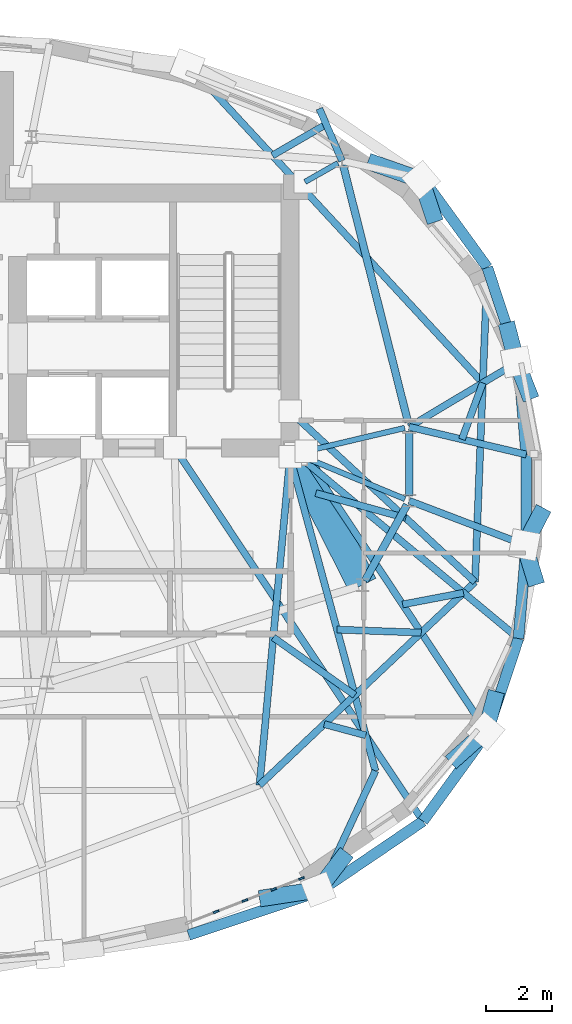
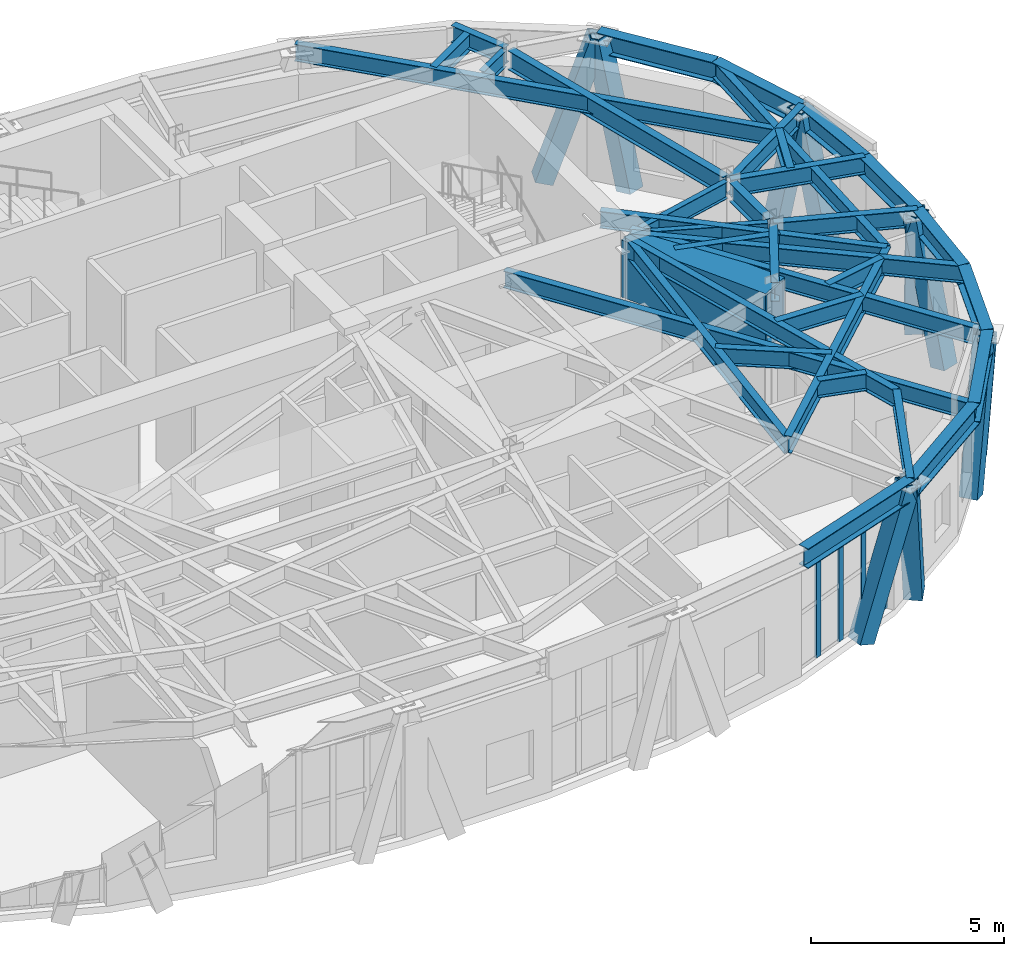
# One storey, part 5 of 15: 37 beams, 14 members, 1 element without a shape of its own.
"""IFC4 building model written with IfcOpenShell, lengths in metres."""

from ifc_helpers import new_model, si_unit, direction, frame, origin, origin_2d, place, context, subcontext, project, spatial, rectangle, hollow_rectangle, i_section, extrude, material, layer, layer_set, material_profile, profile_set, type_object, element, aggregate, save


model = new_model("IFC4")

# Units and contexts
model_context = context("Model", 3, precision=1e-05, world=origin(), true_north=direction((0.0, 1.0)))
body_context = subcontext(model_context, "Body", "Model", "MODEL_VIEW")
ifc_project = project(units=[si_unit("LENGTHUNIT", "METRE"), si_unit("AREAUNIT", "SQUARE_METRE"), si_unit("VOLUMEUNIT", "CUBIC_METRE"), si_unit("PLANEANGLEUNIT", "RADIAN"), si_unit("MASSUNIT", "GRAM", prefix="KILO")], contexts=[model_context])

# Site, building, storey
site_placement = place(None, origin())
site = spatial("IfcSite", under=ifc_project, at=site_placement, CompositionType="ELEMENT")
building_placement = place(site_placement, origin())
building = spatial("IfcBuilding", under=site, at=building_placement, Name="Keldmark Tower", CompositionType="ELEMENT")
storey_placement = place(building_placement, frame((0.0, 0.0, 260.39990234375)))
storey = spatial("IfcBuildingStorey", under=building, at=storey_placement, Name="L74", CompositionType="ELEMENT", Elevation=260.39990234375)

# Curtain wall, members
ifc_material_1 = material(Name="Unitized Thermally Broken Aluminum and Triple Low-E Glazing", Category="aluminium")
ifc_layer = layer(ifc_material_1, 0.219970703125)
ifc_layer_set = layer_set([ifc_layer], Name="Unitized Thermally Broken Aluminum and Triple Low-E Glazing")
curtain_wall_type = type_object("IfcCurtainWallType", Name="Public Observation Lookout Curtain Wall System", PredefinedType="NOTDEFINED", material=ifc_layer_set)
curtain_wall_placement = place(storey_placement, origin())
curtain_wall = element("IfcCurtainWall", 1, at=curtain_wall_placement, inside=storey, type_object=curtain_wall_type, Name="L74 Public Observation Lookout Curtain Wall System CW-L74-27", PredefinedType="NOTDEFINED")
ifc_material_2 = material(Name="Extruded Aluminum Alloy 6063-T6", Category="aluminium")
ifc_material_profile_1 = material_profile(ifc_material_2, rectangle(XDim=0.06005859375, YDim=0.179931640625, at=origin_2d()), Name="CWM60X180")
ifc_profile_set_1 = profile_set([ifc_material_profile_1], Name="Extruded Aluminum Alloy 6063-T6")
member_type_1 = type_object("IfcMemberType", Name="Curtain Wall Structural Mullion 60x180", PredefinedType="MULLION", material=ifc_profile_set_1)
member_1_placement = place(storey_placement, frame((13.772216796875, -11.43017578125, 0.0), z_axis=(0.0, 0.0, 1.0), x_axis=(0.363381340105, -0.931640489494, 0.0)))
member_1 = element("IfcMember", 2, at=member_1_placement, type_object=member_type_1, Name="CW mullion 1", PredefinedType="MULLION", context=body_context, shape_type="SweptSolid", body=[
    extrude(rectangle(XDim=0.06005859375, YDim=0.179931640625, at=origin_2d()), origin(), (0.0, 0.0, 1.0), 3.546142578125),
])
member_2_placement = place(storey_placement, frame((12.93115234375, -11.758056640625, 0.0), z_axis=(0.0, 0.0, 1.0), x_axis=(0.363381340105, -0.931640489494, 0.0)))
member_2 = element("IfcMember", 3, at=member_2_placement, type_object=member_type_1, Name="CW mullion 2", PredefinedType="MULLION", context=body_context, shape_type="SweptSolid", body=[
    extrude(rectangle(XDim=0.06005859375, YDim=0.179931640625, at=origin_2d()), origin(), (0.0, 0.0, 1.0), 3.546142578125),
])
member_3_placement = place(storey_placement, frame((12.062255859375, -12.096923828125, 0.0), z_axis=(0.0, 0.0, 1.0), x_axis=(0.363381340105, -0.931640489494, 0.0)))
member_3 = element("IfcMember", 4, at=member_3_placement, type_object=member_type_1, Name="CW mullion 3", PredefinedType="MULLION", context=body_context, shape_type="SweptSolid", body=[
    extrude(rectangle(XDim=0.06005859375, YDim=0.179931640625, at=origin_2d()), origin(), (0.0, 0.0, 1.0), 3.546142578125),
])
member_4_placement = place(storey_placement, frame((11.193359375, -12.435791015625, 0.0), z_axis=(0.0, 0.0, 1.0), x_axis=(0.363381340105, -0.931640489494, 0.0)))
member_4 = element("IfcMember", 5, at=member_4_placement, type_object=member_type_1, Name="CW mullion 4", PredefinedType="MULLION", context=body_context, shape_type="SweptSolid", body=[
    extrude(rectangle(XDim=0.06005859375, YDim=0.179931640625, at=origin_2d()), origin(), (0.0, 0.0, 1.0), 3.546142578125),
])
aggregate(curtain_wall, [member_1, member_2, member_3, member_4])

# Members
ifc_material_3 = material(Name="Steel ASTM A572 Grade 50", Category="steel")
ifc_material_profile_2 = material_profile(ifc_material_3, hollow_rectangle(XDim=0.5, YDim=0.5, WallThickness=0.030029296875, at=origin_2d()), Name="BOX500X500X30")
ifc_profile_set_2 = profile_set([ifc_material_profile_2], Name="Steel ASTM A572 Grade 50")
member_type_2 = type_object("IfcMemberType", Name="Diagrid Upper Brace BOX500X500X30", PredefinedType="BRACE", material=ifc_profile_set_2)
member_5_placement = place(storey_placement, frame((20.619873046875, 3.273193359375, -0.2998046875), z_axis=(-0.079266131866, 0.201718639025, 0.976230746806), x_axis=(-0.930720832638, -0.365730408489, 0.0)))
element("IfcMember", 6, at=member_5_placement, inside=storey, type_object=member_type_2, Name="L74 Perimeter Diagrid Brace 01A", PredefinedType="BRACE", context=body_context, shape_type="SweptSolid", body=[
    extrude(hollow_rectangle(XDim=0.5, YDim=0.5, WallThickness=0.030029296875, at=origin_2d()), origin(), (0.0, 0.0, 1.0), 4.466064453125),
])
member_6_placement = place(storey_placement, frame((20.01806640625, 5.115234375, -0.2998046875), z_axis=(0.055931876465, -0.213131037075, 0.975421337797), x_axis=(0.967247703947, 0.25383435388, 0.0)))
element("IfcMember", 7, at=member_6_placement, inside=storey, type_object=member_type_2, Name="L74 Perimeter Diagrid Brace 01B", PredefinedType="BRACE", context=body_context, shape_type="SweptSolid", body=[
    extrude(hollow_rectangle(XDim=0.5, YDim=0.5, WallThickness=0.030029296875, at=origin_2d()), origin(), (0.0, 0.0, 1.0), 4.4697265625),
])
member_7_placement = place(storey_placement, frame((17.7353515625, 8.62548828125, -0.2998046875), z_axis=(-0.077730037113, 0.233081549836, 0.969345672326), x_axis=(-0.948639104388, -0.316360316135, 0.0)))
element("IfcMember", 8, at=member_7_placement, inside=storey, type_object=member_type_2, Name="L74 Perimeter Diagrid Brace 02A", PredefinedType="BRACE", context=body_context, shape_type="SweptSolid", body=[
    extrude(hollow_rectangle(XDim=0.5, YDim=0.5, WallThickness=0.030029296875, at=origin_2d()), origin(), (0.0, 0.0, 1.0), 4.497802734375),
])
member_8_placement = place(storey_placement, frame((16.0048828125, 10.151611328125, -0.2998046875), z_axis=(0.301492272293, -0.105962701121, 0.947562301761), x_axis=(0.331577864916, 0.943427856011, 0.0)))
element("IfcMember", 9, at=member_8_placement, inside=storey, type_object=member_type_2, Name="L74 Perimeter Diagrid Brace 02B", PredefinedType="BRACE", context=body_context, shape_type="SweptSolid", body=[
    extrude(hollow_rectangle(XDim=0.5, YDim=0.5, WallThickness=0.030029296875, at=origin_2d()), origin(), (0.0, 0.0, 1.0), 4.60107421875),
])
member_9_placement = place(storey_placement, frame((12.73681640625, -12.006103515625, -0.2998046875), z_axis=(0.333845662082, 0.051125717117, 0.941240264204), x_axis=(-0.151376984692, 0.988476104165, 0.0)))
element("IfcMember", 10, at=member_9_placement, inside=storey, type_object=member_type_2, Name="L74 Perimeter Diagrid Brace 14A", PredefinedType="BRACE", context=body_context, shape_type="SweptSolid", body=[
    extrude(hollow_rectangle(XDim=0.5, YDim=0.5, WallThickness=0.030029296875, at=origin_2d()), origin(), (0.0, 0.0, 1.0), 4.632080078125),
])
member_10_placement = place(storey_placement, frame((14.99267578125, -10.835205078125, -0.2998046875), z_axis=(-0.159202550271, -0.208163008705, 0.965050625508), x_axis=(0.794322712837, -0.607496031157, 0.0)))
element("IfcMember", 11, at=member_10_placement, inside=storey, type_object=member_type_2, Name="L74 Perimeter Diagrid Brace 14B", PredefinedType="BRACE", context=body_context, shape_type="SweptSolid", body=[
    extrude(hollow_rectangle(XDim=0.5, YDim=0.5, WallThickness=0.030029296875, at=origin_2d()), origin(), (0.0, 0.0, 1.0), 4.517822265625),
])
member_11_placement = place(storey_placement, frame((18.45849609375, -7.771240234375, -0.2998046875), z_axis=(0.194761756322, 0.173842300398, 0.965322077271), x_axis=(-0.665904663774, 0.746036848127, 0.0)))
element("IfcMember", 12, at=member_11_placement, inside=storey, type_object=member_type_2, Name="L74 Perimeter Diagrid Brace 15A", PredefinedType="BRACE", context=body_context, shape_type="SweptSolid", body=[
    extrude(hollow_rectangle(XDim=0.5, YDim=0.5, WallThickness=0.030029296875, at=origin_2d()), origin(), (0.0, 0.0, 1.0), 4.5166015625),
])
member_12_placement = place(storey_placement, frame((19.595458984375, -6.0205078125, -0.2998046875), z_axis=(-0.058970159994, -0.217933199977, 0.974180496919), x_axis=(0.965286044278, -0.261195047275, 0.0)))
element("IfcMember", 13, at=member_12_placement, inside=storey, type_object=member_type_2, Name="L74 Perimeter Diagrid Brace 15B", PredefinedType="BRACE", context=body_context, shape_type="SweptSolid", body=[
    extrude(hollow_rectangle(XDim=0.5, YDim=0.5, WallThickness=0.030029296875, at=origin_2d()), origin(), (0.0, 0.0, 1.0), 4.475341796875),
])
member_13_placement = place(storey_placement, frame((20.79931640625, -2.32421875, -0.2998046875), z_axis=(-0.06599939355, 0.216434374882, 0.974063776875), x_axis=(-0.956516093611, -0.291679554755, 0.0)))
element("IfcMember", 14, at=member_13_placement, inside=storey, type_object=member_type_2, Name="L74 Perimeter Diagrid Brace 16A", PredefinedType="BRACE", context=body_context, shape_type="SweptSolid", body=[
    extrude(hollow_rectangle(XDim=0.5, YDim=0.5, WallThickness=0.030029296875, at=origin_2d()), origin(), (0.0, 0.0, 1.0), 4.47607421875),
])
member_14_placement = place(storey_placement, frame((20.973876953125, -0.462158203125, -0.2998046875), z_axis=(-0.105502191387, -0.202062594977, 0.973673454154), x_axis=(0.886444062374, -0.462835742227, 0.0)))
element("IfcMember", 15, at=member_14_placement, inside=storey, type_object=member_type_2, Name="L74 Perimeter Diagrid Brace 16B", PredefinedType="BRACE", context=body_context, shape_type="SweptSolid", body=[
    extrude(hollow_rectangle(XDim=0.5, YDim=0.5, WallThickness=0.030029296875, at=origin_2d()), origin(), (0.0, 0.0, 1.0), 4.477783203125),
])

# Beams
ifc_material_4 = material(Name="Steel ASTM A572 Grade 50", Category="steel")
ifc_material_profile_3 = material_profile(ifc_material_4, hollow_rectangle(XDim=0.89990234375, YDim=1.800048828125, WallThickness=0.074951171875, at=origin_2d()), Name="TBOX1800X900X75")
ifc_profile_set_3 = profile_set([ifc_material_profile_3], Name="Steel ASTM A572 Grade 50")
beam_type_1 = type_object("IfcBeamType", Name="Perimeter Transfer Box Girder 1800x900", PredefinedType="USERDEFINED", material=ifc_profile_set_3)
beam_1_placement = place(storey_placement, frame((13.60009765625, 1.39990234375, 3.280029296875), z_axis=(0.453041270964, -0.891489543855, 0.0), x_axis=(0.891489543855, 0.453041270964, 0.0)))
element("IfcBeam", 16, at=beam_1_placement, inside=storey, type_object=beam_type_1, Name="L74 Crown Stair Transfer Girder ST4T-E", ObjectType="TRANSFER GIRDER", PredefinedType="USERDEFINED", context=body_context, shape_type="SweptSolid", body=[
    extrude(hollow_rectangle(XDim=0.89990234375, YDim=1.800048828125, WallThickness=0.074951171875, at=origin_2d()), origin(), (0.0, 0.0, 1.0), 4.4501953125),
])
ifc_material_5 = material(Name="Steel ASTM A992 Grade 50", Category="steel")
ifc_material_profile_4 = material_profile(ifc_material_5, i_section(OverallWidth=0.22802734375, OverallDepth=0.60302734375, WebThickness=0.010498046875, FlangeThickness=0.014892578125, at=origin_2d()), Name="W24X68")
ifc_profile_set_4 = profile_set([ifc_material_profile_4], Name="Steel ASTM A992 Grade 50")
beam_type_2 = type_object("IfcBeamType", Name="Primary Floor Girder W24X68", PredefinedType="BEAM", material=ifc_profile_set_4)
beam_2_placement = place(storey_placement, frame((16.9912109375, 2.34375, 3.878662109375), z_axis=(-0.244902129455, 0.969547805417, 0.0), x_axis=(-0.969547805417, -0.244902129455, 0.0)))
element("IfcBeam", 17, at=beam_2_placement, inside=storey, type_object=beam_type_2, Name="L74 Floor Ring Girder FG-R01", PredefinedType="BEAM", context=body_context, shape_type="SweptSolid", body=[
    extrude(i_section(OverallWidth=0.22802734375, OverallDepth=0.60302734375, WebThickness=0.010498046875, FlangeThickness=0.014892578125, at=origin_2d()), origin(), (0.0, 0.0, 1.0), 8.008056640625),
])
beam_3_placement = place(storey_placement, frame((15.68408203125, -2.44482421875, 3.878662109375), z_axis=(0.484719680408, 0.874669555561, 0.0), x_axis=(-0.874669555561, 0.484719680408, 0.0)))
element("IfcBeam", 18, at=beam_3_placement, inside=storey, type_object=beam_type_2, Name="L74 Floor Ring Girder FG-R11", PredefinedType="BEAM", context=body_context, shape_type="SweptSolid", body=[
    extrude(i_section(OverallWidth=0.22802734375, OverallDepth=0.60302734375, WebThickness=0.010498046875, FlangeThickness=0.014892578125, at=origin_2d()), origin(), (0.0, 0.0, 1.0), 2.627685546875),
])
beam_4_placement = place(storey_placement, frame((17.025634765625, 0.115966796875, 3.878662109375), z_axis=(0.0, 1.0, 0.0), x_axis=(-1.0, 0.0, 0.0)))
element("IfcBeam", 19, at=beam_4_placement, inside=storey, type_object=beam_type_2, Name="L74 Floor Ring Girder FG-R12", PredefinedType="BEAM", context=body_context, shape_type="SweptSolid", body=[
    extrude(i_section(OverallWidth=0.22802734375, OverallDepth=0.60302734375, WebThickness=0.010498046875, FlangeThickness=0.014892578125, at=origin_2d()), origin(), (0.0, 0.0, 1.0), 1.9521484375),
])
ifc_material_6 = material(Name="Steel ASTM A992 Grade 50", Category="steel")
ifc_material_profile_5 = material_profile(ifc_material_6, i_section(OverallWidth=0.166015625, OverallDepth=0.529052734375, WebThickness=0.009765625, FlangeThickness=0.013671875, at=origin_2d()), Name="W21X50")
ifc_profile_set_5 = profile_set([ifc_material_profile_5], Name="Steel ASTM A992 Grade 50")
beam_type_3 = type_object("IfcBeamType", Name="Radial Tie Girder W21X50", PredefinedType="BEAM", material=ifc_profile_set_5)
beam_5_placement = place(storey_placement, frame((16.889404296875, 2.17578125, 3.91552734375), z_axis=(-0.97329039005, -0.229577474147, 0.0), x_axis=(0.229577474147, -0.97329039005, 0.0)))
element("IfcBeam", 20, at=beam_5_placement, inside=storey, type_object=beam_type_3, Name="L74 Floor Radial Girder FG-C01", PredefinedType="BEAM", context=body_context, shape_type="SweptSolid", body=[
    extrude(i_section(OverallWidth=0.166015625, OverallDepth=0.529052734375, WebThickness=0.009765625, FlangeThickness=0.013671875, at=origin_2d()), origin(), (0.0, 0.0, 1.0), 3.0595703125),
])
beam_6_placement = place(storey_placement, frame((14.8740234375, 10.174560546875, 3.91552734375), z_axis=(-0.869238046195, -0.494393789451, 0.0), x_axis=(0.494393789451, -0.869238046195, 0.0)))
element("IfcBeam", 21, at=beam_6_placement, inside=storey, type_object=beam_type_3, Name="L74 Floor Radial Girder FG-C02", PredefinedType="BEAM", context=body_context, shape_type="SweptSolid", body=[
    extrude(i_section(OverallWidth=0.166015625, OverallDepth=0.529052734375, WebThickness=0.009765625, FlangeThickness=0.013671875, at=origin_2d()), origin(), (0.0, 0.0, 1.0), 1.145751953125),
])
beam_7_placement = place(storey_placement, frame((16.896240234375, 0.02978515625, 3.91552734375), z_axis=(-0.923403331902, 0.383831065226, 0.0), x_axis=(-0.383831065226, -0.923403331902, 0.0)))
element("IfcBeam", 22, at=beam_7_placement, inside=storey, type_object=beam_type_3, Name="L74 Floor Radial Girder FG-C12", PredefinedType="BEAM", context=body_context, shape_type="SweptSolid", body=[
    extrude(i_section(OverallWidth=0.166015625, OverallDepth=0.529052734375, WebThickness=0.009765625, FlangeThickness=0.013671875, at=origin_2d()), origin(), (0.0, 0.0, 1.0), 3.249755859375),
])
ifc_material_7 = material(Name="Steel ASTM A992 Grade 50", Category="steel")
ifc_material_profile_6 = material_profile(ifc_material_7, i_section(OverallWidth=0.2099609375, OverallDepth=0.537109375, WebThickness=0.010986328125, FlangeThickness=0.017333984375, at=origin_2d()), Name="W21X68")
ifc_profile_set_6 = profile_set([ifc_material_profile_6], Name="Steel ASTM A992 Grade 50")
beam_type_4 = type_object("IfcBeamType", Name="Radial Tie Girder W21X68", PredefinedType="BEAM", material=ifc_profile_set_6)
beam_8_placement = place(storey_placement, frame((13.425048828125, 1.300048828125, 3.91162109375), z_axis=(-0.092453131498, -0.995717037354, 0.0), x_axis=(0.995717037354, -0.092453131498, 0.0)))
element("IfcBeam", 23, at=beam_8_placement, inside=storey, type_object=beam_type_4, Name="L74 Sub-Ring Step Girder STP2-M11", PredefinedType="BEAM", context=body_context, shape_type="SweptSolid", body=[
    extrude(i_section(OverallWidth=0.2099609375, OverallDepth=0.537109375, WebThickness=0.010986328125, FlangeThickness=0.017333984375, at=origin_2d()), origin(), (0.0, 0.0, 1.0), 9.952880859375),
])
beam_9_placement = place(storey_placement, frame((14.204833984375, 0.209716796875, 3.91162109375), z_axis=(0.963413554351, -0.268019259184, 0.0), x_axis=(0.268019259184, 0.963413554351, 0.0)))
element("IfcBeam", 24, at=beam_9_placement, inside=storey, type_object=beam_type_4, Name="L74 Framing Pin Header PH-006", PredefinedType="BEAM", context=body_context, shape_type="SweptSolid", body=[
    extrude(i_section(OverallWidth=0.2099609375, OverallDepth=0.537109375, WebThickness=0.010986328125, FlangeThickness=0.017333984375, at=origin_2d()), origin(), (0.0, 0.0, 1.0), 2.8173828125),
])
beam_10_placement = place(storey_placement, frame((13.425048828125, 2.675048828125, 3.91162109375), z_axis=(0.735319269258, -0.677720866034, 0.0), x_axis=(0.677720866034, 0.735319269258, 0.0)))
element("IfcBeam", 25, at=beam_10_placement, inside=storey, type_object=beam_type_4, Name="L74 Sub-Ring Step Girder STP2-M12", PredefinedType="BEAM", context=body_context, shape_type="SweptSolid", body=[
    extrude(i_section(OverallWidth=0.2099609375, OverallDepth=0.537109375, WebThickness=0.010986328125, FlangeThickness=0.017333984375, at=origin_2d()), origin(), (0.0, 0.0, 1.0), 7.599853515625),
])
beam_11_placement = place(storey_placement, frame((12.5048828125, -8.610107421875, 3.91162109375), z_axis=(0.727706958377, 0.685888170717, 0.0), x_axis=(-0.685888170717, 0.727706958377, 0.0)))
element("IfcBeam", 26, at=beam_11_placement, inside=storey, type_object=beam_type_4, Name="L74 Perimeter Collector Ring Beam CRG2-M11", PredefinedType="BEAM", context=body_context, shape_type="SweptSolid", body=[
    extrude(i_section(OverallWidth=0.2099609375, OverallDepth=0.537109375, WebThickness=0.010986328125, FlangeThickness=0.017333984375, at=origin_2d()), origin(), (0.0, 0.0, 1.0), 8.94384765625),
])
beam_12_placement = place(storey_placement, frame((17.025634765625, 2.2080078125, 3.91162109375), z_axis=(0.973214964991, -0.229897002847, 0.0), x_axis=(0.229897002847, 0.973214964991, 0.0)))
element("IfcBeam", 27, at=beam_12_placement, inside=storey, type_object=beam_type_4, Name="L74 Perimeter Column Bracket RT-01", PredefinedType="BEAM", context=body_context, shape_type="SweptSolid", body=[
    extrude(i_section(OverallWidth=0.2099609375, OverallDepth=0.537109375, WebThickness=0.010986328125, FlangeThickness=0.017333984375, at=origin_2d()), origin(), (0.0, 0.0, 1.0), 3.633056640625),
])
beam_13_placement = place(storey_placement, frame((17.025634765625, 2.2080078125, 3.91162109375), z_axis=(0.858405001631, 0.512972565713, 0.0), x_axis=(-0.512972565713, 0.858405001631, 0.0)))
element("IfcBeam", 28, at=beam_13_placement, inside=storey, type_object=beam_type_4, Name="L74 Perimeter Column Bracket RT-02", PredefinedType="BEAM", context=body_context, shape_type="SweptSolid", body=[
    extrude(i_section(OverallWidth=0.2099609375, OverallDepth=0.537109375, WebThickness=0.010986328125, FlangeThickness=0.017333984375, at=origin_2d()), origin(), (0.0, 0.0, 1.0), 3.843994140625),
])
beam_14_placement = place(storey_placement, frame((18.61669921875, 1.832275390625, 3.91162109375), z_axis=(0.347572515317, 0.937653105682, 0.0), x_axis=(-0.937653105682, 0.347572515317, 0.0)))
element("IfcBeam", 29, at=beam_14_placement, inside=storey, type_object=beam_type_4, Name="L74 Framing Pin Header PH-007", PredefinedType="BEAM", context=body_context, shape_type="SweptSolid", body=[
    extrude(i_section(OverallWidth=0.2099609375, OverallDepth=0.537109375, WebThickness=0.010986328125, FlangeThickness=0.017333984375, at=origin_2d()), origin(), (0.0, 0.0, 1.0), 1.817138671875),
])
beam_15_placement = place(storey_placement, frame((19.013427734375, -2.4755859375, 3.91162109375), z_axis=(0.03903373334, 0.999237893428, 0.0), x_axis=(-0.999237893428, 0.03903373334, 0.0)))
element("IfcBeam", 30, at=beam_15_placement, inside=storey, type_object=beam_type_4, Name="L74 Perimeter Radial Tie Girder RT-03", PredefinedType="BEAM", context=body_context, shape_type="SweptSolid", body=[
    extrude(i_section(OverallWidth=0.2099609375, OverallDepth=0.537109375, WebThickness=0.010986328125, FlangeThickness=0.017333984375, at=origin_2d()), origin(), (0.0, 0.0, 1.0), 9.507080078125),
])
beam_16_placement = place(storey_placement, frame((14.995849609375, 10.24365234375, 3.91162109375), z_axis=(-0.397786648686, 0.917477946398, 0.0), x_axis=(-0.917477946398, -0.397786648686, 0.0)))
element("IfcBeam", 31, at=beam_16_placement, inside=storey, type_object=beam_type_4, Name="L74 Perimeter Column Bracket RT-05", PredefinedType="BEAM", context=body_context, shape_type="SweptSolid", body=[
    extrude(i_section(OverallWidth=0.2099609375, OverallDepth=0.537109375, WebThickness=0.010986328125, FlangeThickness=0.017333984375, at=origin_2d()), origin(), (0.0, 0.0, 1.0), 1.72021484375),
])
beam_17_placement = place(storey_placement, frame((14.516845703125, 11.3486328125, 3.91162109375), z_axis=(-0.864969133364, -0.501825067456, 0.0), x_axis=(0.501825067456, -0.864969133364, 0.0)))
element("IfcBeam", 32, at=beam_17_placement, inside=storey, type_object=beam_type_4, Name="L74 Framing Pin Header PH-008", PredefinedType="BEAM", context=body_context, shape_type="SweptSolid", body=[
    extrude(i_section(OverallWidth=0.2099609375, OverallDepth=0.537109375, WebThickness=0.010986328125, FlangeThickness=0.017333984375, at=origin_2d()), origin(), (0.0, 0.0, 1.0), 1.87841796875),
])
beam_18_placement = place(storey_placement, frame((19.248291015625, 3.5361328125, 3.91162109375), z_axis=(-0.679139751827, 0.734008990059, 0.0), x_axis=(-0.734008990059, -0.679139751827, 0.0)))
element("IfcBeam", 33, at=beam_18_placement, inside=storey, type_object=beam_type_4, Name="L74 Perimeter Radial Tie Girder RT-06", PredefinedType="BEAM", context=body_context, shape_type="SweptSolid", body=[
    extrude(i_section(OverallWidth=0.2099609375, OverallDepth=0.537109375, WebThickness=0.010986328125, FlangeThickness=0.017333984375, at=origin_2d()), origin(), (0.0, 0.0, 1.0), 13.0859375),
])
beam_19_placement = place(storey_placement, frame((12.9189453125, -4.150390625, 3.91162109375), z_axis=(0.815960941201, -0.578107033718, 0.0), x_axis=(0.578107033718, 0.815960941201, 0.0)))
element("IfcBeam", 34, at=beam_19_placement, inside=storey, type_object=beam_type_4, Name="L74 Framing Pin Header PH-018", PredefinedType="BEAM", context=body_context, shape_type="SweptSolid", body=[
    extrude(i_section(OverallWidth=0.2099609375, OverallDepth=0.537109375, WebThickness=0.010986328125, FlangeThickness=0.017333984375, at=origin_2d()), origin(), (0.0, 0.0, 1.0), 3.020751953125),
])
beam_20_placement = place(storey_placement, frame((13.425048828125, 1.300048828125, 3.91162109375), z_axis=(0.262610724412, -0.964901864142, 0.0), x_axis=(0.964901864142, 0.262610724412, 0.0)))
element("IfcBeam", 35, at=beam_20_placement, inside=storey, type_object=beam_type_4, Name="L74 Intermediate Radial Step Girder RT-29M", PredefinedType="BEAM", context=body_context, shape_type="SweptSolid", body=[
    extrude(i_section(OverallWidth=0.2099609375, OverallDepth=0.537109375, WebThickness=0.010986328125, FlangeThickness=0.017333984375, at=origin_2d()), origin(), (0.0, 0.0, 1.0), 9.82666015625),
])
beam_21_placement = place(storey_placement, frame((14.3115234375, -11.822021484375, 3.91162109375), z_axis=(0.421913258851, 0.906636201575, 0.0), x_axis=(-0.906636201575, 0.421913258851, 0.0)))
element("IfcBeam", 36, at=beam_21_placement, inside=storey, type_object=beam_type_4, Name="L74 Local Collector Chord RT-29C", PredefinedType="BEAM", context=body_context, shape_type="SweptSolid", body=[
    extrude(i_section(OverallWidth=0.2099609375, OverallDepth=0.537109375, WebThickness=0.010986328125, FlangeThickness=0.017333984375, at=origin_2d()), origin(), (0.0, 0.0, 1.0), 4.015380859375),
])
beam_22_placement = place(storey_placement, frame((14.45751953125, -6.769775390625, 3.91162109375), z_axis=(0.9656592455, -0.259811896534, 0.0), x_axis=(0.259811896534, 0.9656592455, 0.0)))
element("IfcBeam", 37, at=beam_22_placement, inside=storey, type_object=beam_type_4, Name="L74 Framing Pin Header PH-019", PredefinedType="BEAM", context=body_context, shape_type="SweptSolid", body=[
    extrude(i_section(OverallWidth=0.2099609375, OverallDepth=0.537109375, WebThickness=0.010986328125, FlangeThickness=0.017333984375, at=origin_2d()), origin(), (0.0, 0.0, 1.0), 1.300537109375),
])
beam_23_placement = place(storey_placement, frame((9.939208984375, 1.574951171875, 3.91162109375), z_axis=(0.553751341777, -0.832682083079, 0.0), x_axis=(0.832682083079, 0.553751341777, 0.0)))
element("IfcBeam", 38, at=beam_23_placement, inside=storey, type_object=beam_type_4, Name="L74 Perimeter Radial Tie Girder RT-29", PredefinedType="BEAM", context=body_context, shape_type="SweptSolid", body=[
    extrude(i_section(OverallWidth=0.2099609375, OverallDepth=0.537109375, WebThickness=0.010986328125, FlangeThickness=0.017333984375, at=origin_2d()), origin(), (0.0, 0.0, 1.0), 13.543212890625),
])
beam_24_placement = place(storey_placement, frame((14.84423828125, -3.914794921875, 3.91162109375), z_axis=(0.999357101942, -0.0358522356, 0.0), x_axis=(0.0358522356, 0.999357101942, 0.0)))
element("IfcBeam", 39, at=beam_24_placement, inside=storey, type_object=beam_type_4, Name="L74 Framing Pin Header PH-020", PredefinedType="BEAM", context=body_context, shape_type="SweptSolid", body=[
    extrude(i_section(OverallWidth=0.2099609375, OverallDepth=0.537109375, WebThickness=0.010986328125, FlangeThickness=0.017333984375, at=origin_2d()), origin(), (0.0, 0.0, 1.0), 2.546875),
])
beam_25_placement = place(storey_placement, frame((13.699951171875, 1.574951171875, 3.91162109375), z_axis=(0.551460390785, -0.834201077316, 0.0), x_axis=(0.834201077316, 0.551460390785, 0.0)))
element("IfcBeam", 40, at=beam_25_placement, inside=storey, type_object=beam_type_4, Name="L74 Perimeter Radial Tie Girder RT-30", PredefinedType="BEAM", context=body_context, shape_type="SweptSolid", body=[
    extrude(i_section(OverallWidth=0.2099609375, OverallDepth=0.537109375, WebThickness=0.010986328125, FlangeThickness=0.017333984375, at=origin_2d()), origin(), (0.0, 0.0, 1.0), 10.30810546875),
])
beam_26_placement = place(storey_placement, frame((16.826416015625, -3.154541015625, 3.91162109375), z_axis=(0.982224287587, 0.187711078185, 0.0), x_axis=(-0.187711078185, 0.982224287587, 0.0)))
element("IfcBeam", 41, at=beam_26_placement, inside=storey, type_object=beam_type_4, Name="L74 Framing Pin Header PH-021", PredefinedType="BEAM", context=body_context, shape_type="SweptSolid", body=[
    extrude(i_section(OverallWidth=0.2099609375, OverallDepth=0.537109375, WebThickness=0.010986328125, FlangeThickness=0.017333984375, at=origin_2d()), origin(), (0.0, 0.0, 1.0), 1.872802734375),
])
beam_27_placement = place(storey_placement, frame((13.60009765625, 1.39990234375, 3.91162109375), z_axis=(0.769604924933, -0.638520367348, 0.0), x_axis=(0.638520367348, 0.769604924933, 0.0)))
element("IfcBeam", 42, at=beam_27_placement, inside=storey, type_object=beam_type_4, Name="L74 Perimeter Radial Tie Girder RT-31", PredefinedType="BEAM", context=body_context, shape_type="SweptSolid", body=[
    extrude(i_section(OverallWidth=0.2099609375, OverallDepth=0.537109375, WebThickness=0.010986328125, FlangeThickness=0.017333984375, at=origin_2d()), origin(), (0.0, 0.0, 1.0), 8.73876953125),
])
beam_28_placement = place(storey_placement, frame((17.025634765625, -0.02392578125, 3.91162109375), z_axis=(0.934314901989, -0.356448683434, 0.0), x_axis=(0.356448683434, 0.934314901989, 0.0)))
element("IfcBeam", 43, at=beam_28_placement, inside=storey, type_object=beam_type_4, Name="L74 Perimeter Column Bracket RT-32", PredefinedType="BEAM", context=body_context, shape_type="SweptSolid", body=[
    extrude(i_section(OverallWidth=0.2099609375, OverallDepth=0.537109375, WebThickness=0.010986328125, FlangeThickness=0.017333984375, at=origin_2d()), origin(), (0.0, 0.0, 1.0), 3.7841796875),
])
ifc_material_8 = material(Name="Steel ASTM A992 Grade 50", Category="steel")
ifc_material_profile_7 = material_profile(ifc_material_8, i_section(OverallWidth=0.326904296875, OverallDepth=0.6220703125, WebThickness=0.015380859375, FlangeThickness=0.0244140625, at=origin_2d()), Name="W24X131")
ifc_profile_set_7 = profile_set([ifc_material_profile_7], Name="Steel ASTM A992 Grade 50")
beam_type_5 = type_object("IfcBeamType", Name="Spandrel Ring Beam W24X131", PredefinedType="SPANDREL", material=ifc_profile_set_7)
beam_29_placement = place(storey_placement, frame((20.561279296875, 1.372802734375, 3.869140625), z_axis=(-0.083719665048, 0.996489346498, 0.0), x_axis=(-0.996489346498, -0.083719665048, 0.0)))
element("IfcBeam", 44, at=beam_29_placement, inside=storey, type_object=beam_type_5, Name="L74 Perimeter Spandrel Ring Beam SRB-01", PredefinedType="SPANDREL", context=body_context, shape_type="SweptSolid", body=[
    extrude(i_section(OverallWidth=0.326904296875, OverallDepth=0.6220703125, WebThickness=0.015380859375, FlangeThickness=0.0244140625, at=origin_2d()), origin(), (0.0, 0.0, 1.0), 2.817138671875),
])
beam_30_placement = place(storey_placement, frame((20.325439453125, 4.179931640625, 3.869140625), z_axis=(-0.314075527336, 0.949398000381, 0.0), x_axis=(-0.949398000381, -0.314075527336, 0.0)))
element("IfcBeam", 45, at=beam_30_placement, inside=storey, type_object=beam_type_5, Name="L74 Perimeter Spandrel Ring Beam SRB-02", PredefinedType="SPANDREL", context=body_context, shape_type="SweptSolid", body=[
    extrude(i_section(OverallWidth=0.326904296875, OverallDepth=0.6220703125, WebThickness=0.015380859375, FlangeThickness=0.0244140625, at=origin_2d()), origin(), (0.0, 0.0, 1.0), 2.995849609375),
])
beam_31_placement = place(storey_placement, frame((19.384521484375, 7.024169921875, 3.869140625), z_axis=(-0.587812043437, 0.808997528791, 0.0), x_axis=(-0.808997528791, -0.587812043437, 0.0)))
element("IfcBeam", 46, at=beam_31_placement, inside=storey, type_object=beam_type_5, Name="L74 Perimeter Spandrel Ring Beam SRB-03", PredefinedType="SPANDREL", context=body_context, shape_type="SweptSolid", body=[
    extrude(i_section(OverallWidth=0.326904296875, OverallDepth=0.6220703125, WebThickness=0.015380859375, FlangeThickness=0.0244140625, at=origin_2d()), origin(), (0.0, 0.0, 1.0), 3.310302734375),
])
beam_32_placement = place(storey_placement, frame((10.361083984375, -13.141357421875, 3.869140625), z_axis=(0.948501424935, 0.316772863256, 0.0), x_axis=(-0.316772863256, 0.948501424935, 0.0)))
element("IfcBeam", 47, at=beam_32_placement, inside=storey, type_object=beam_type_5, Name="L74 Perimeter Spandrel Ring Beam SRB-27", PredefinedType="SPANDREL", context=body_context, shape_type="SweptSolid", body=[
    extrude(i_section(OverallWidth=0.326904296875, OverallDepth=0.6220703125, WebThickness=0.015380859375, FlangeThickness=0.0244140625, at=origin_2d()), origin(), (0.0, 0.0, 1.0), 4.1650390625),
])
beam_33_placement = place(storey_placement, frame((14.3115234375, -11.822021484375, 3.869140625), z_axis=(0.827740547026, 0.56111102895, 0.0), x_axis=(-0.56111102895, 0.827740547026, 0.0)))
element("IfcBeam", 48, at=beam_33_placement, inside=storey, type_object=beam_type_5, Name="L74 Perimeter Spandrel Ring Beam SRB-28", PredefinedType="SPANDREL", context=body_context, shape_type="SweptSolid", body=[
    extrude(i_section(OverallWidth=0.326904296875, OverallDepth=0.6220703125, WebThickness=0.015380859375, FlangeThickness=0.0244140625, at=origin_2d()), origin(), (0.0, 0.0, 1.0), 3.778076171875),
])
beam_34_placement = place(storey_placement, frame((17.438720703125, -9.7021484375, 3.869140625), z_axis=(0.587812043437, 0.808997528791, 0.0), x_axis=(-0.808997528791, 0.587812043437, 0.0)))
element("IfcBeam", 49, at=beam_34_placement, inside=storey, type_object=beam_type_5, Name="L74 Perimeter Spandrel Ring Beam SRB-29", PredefinedType="SPANDREL", context=body_context, shape_type="SweptSolid", body=[
    extrude(i_section(OverallWidth=0.326904296875, OverallDepth=0.6220703125, WebThickness=0.015380859375, FlangeThickness=0.0244140625, at=origin_2d()), origin(), (0.0, 0.0, 1.0), 3.310302734375),
])
beam_35_placement = place(storey_placement, frame((19.384521484375, -7.024169921875, 3.869140625), z_axis=(0.314075527336, 0.949398000381, 0.0), x_axis=(-0.949398000381, 0.314075527336, 0.0)))
element("IfcBeam", 50, at=beam_35_placement, inside=storey, type_object=beam_type_5, Name="L74 Perimeter Spandrel Ring Beam SRB-30", PredefinedType="SPANDREL", context=body_context, shape_type="SweptSolid", body=[
    extrude(i_section(OverallWidth=0.326904296875, OverallDepth=0.6220703125, WebThickness=0.015380859375, FlangeThickness=0.0244140625, at=origin_2d()), origin(), (0.0, 0.0, 1.0), 2.995849609375),
])
beam_36_placement = place(storey_placement, frame((20.325439453125, -4.179931640625, 3.869140625), z_axis=(0.083719665048, 0.996489346498, 0.0), x_axis=(-0.996489346498, 0.083719665048, 0.0)))
element("IfcBeam", 51, at=beam_36_placement, inside=storey, type_object=beam_type_5, Name="L74 Perimeter Spandrel Ring Beam SRB-31", PredefinedType="SPANDREL", context=body_context, shape_type="SweptSolid", body=[
    extrude(i_section(OverallWidth=0.326904296875, OverallDepth=0.6220703125, WebThickness=0.015380859375, FlangeThickness=0.0244140625, at=origin_2d()), origin(), (0.0, 0.0, 1.0), 2.817138671875),
])
beam_37_placement = place(storey_placement, frame((20.561279296875, -1.372802734375, 3.869140625), z_axis=(0.0, 1.0, 0.0), x_axis=(-1.0, 0.0, 0.0)))
element("IfcBeam", 52, at=beam_37_placement, inside=storey, type_object=beam_type_5, Name="L74 Perimeter Spandrel Ring Beam SRB-32", PredefinedType="SPANDREL", context=body_context, shape_type="SweptSolid", body=[
    extrude(i_section(OverallWidth=0.326904296875, OverallDepth=0.6220703125, WebThickness=0.015380859375, FlangeThickness=0.0244140625, at=origin_2d()), origin(), (0.0, 0.0, 1.0), 2.74560546875),
])

save(model, "model.ifc")
